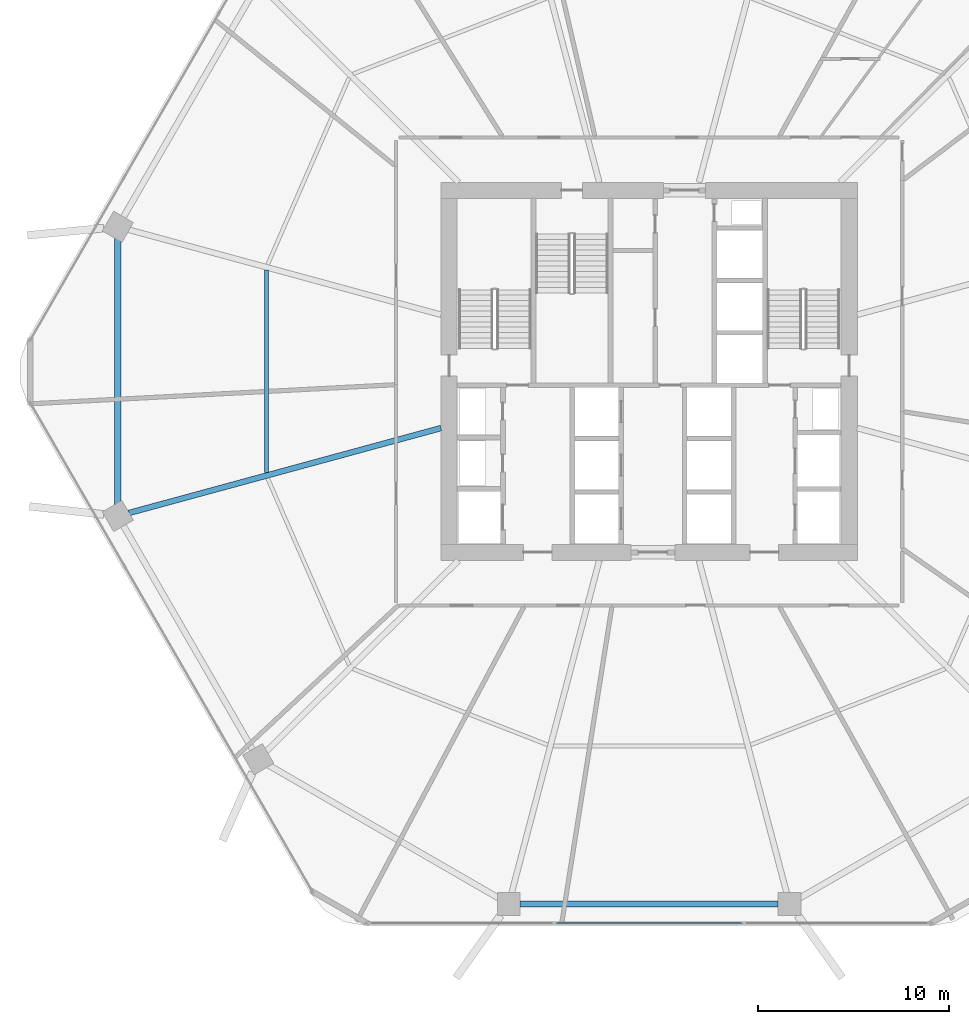
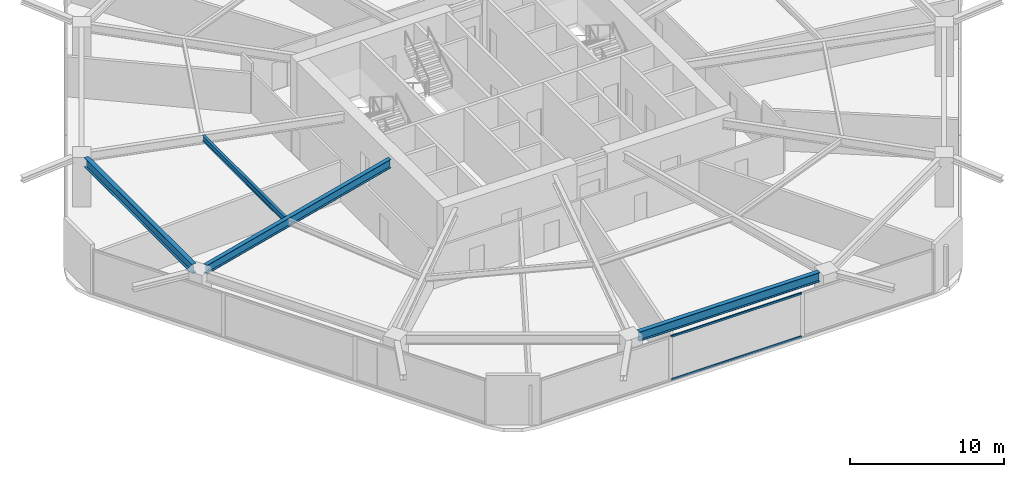
# One storey, part 6 of 25: 4 beams, 2 members, 1 element without a shape of its own.
"""IFC4 building model written with IfcOpenShell, lengths in metres."""

from ifc_helpers import new_model, si_unit, direction, frame, origin, origin_2d, place, context, subcontext, project, spatial, hollow_rectangle, i_section, extrude, material, material_profile, profile_set, type_object, element, aggregate, save


model = new_model("IFC4")

# Units and contexts
model_context = context("Model", 3, precision=1e-05, world=origin(), true_north=direction((0.0, 1.0)))
body_context = subcontext(model_context, "Body", "Model", "MODEL_VIEW")
ifc_project = project(units=[si_unit("LENGTHUNIT", "METRE"), si_unit("AREAUNIT", "SQUARE_METRE"), si_unit("VOLUMEUNIT", "CUBIC_METRE"), si_unit("PLANEANGLEUNIT", "RADIAN"), si_unit("MASSUNIT", "GRAM", prefix="KILO")], contexts=[model_context])

# Site, building, storey
site_placement = place(None, origin())
site = spatial("IfcSite", under=ifc_project, at=site_placement, CompositionType="ELEMENT")
building_placement = place(site_placement, origin())
building = spatial("IfcBuilding", under=site, at=building_placement, Name="Zuhravey Tower", CompositionType="ELEMENT")
storey_placement = place(building_placement, frame((0.0, 0.0, 37.199951171875)))
storey = spatial("IfcBuildingStorey", under=building, at=storey_placement, Name="L09", CompositionType="ELEMENT", Elevation=37.199951171875)

# Curtain wall, members
ifc_material_1 = material(Name="Thermally broken anodised aluminium", Category="aluminium")
curtain_wall_type = type_object("IfcCurtainWallType", Name="School Low-E Unitised Curtain Wall CW1", PredefinedType="NOTDEFINED", material=ifc_material_1)
curtain_wall_placement = place(storey_placement, origin())
curtain_wall = element("IfcCurtainWall", 1, at=curtain_wall_placement, inside=storey, type_object=curtain_wall_type, Name="L09 CW1 CW-L09-F5-1", PredefinedType="NOTDEFINED")
ifc_material_2 = material(Name="Anodised aluminium", Category="aluminium")
ifc_material_profile_1 = material_profile(ifc_material_2, hollow_rectangle(XDim=0.090087890625, YDim=0.14990234375, WallThickness=0.0048828125, at=origin_2d()), Name="ALU-RHS-90x150x5")
ifc_profile_set_1 = profile_set([ifc_material_profile_1], Name="Anodised aluminium")
member_type = type_object("IfcMemberType", Name="Curtain-Wall Transom 90x150", PredefinedType="USERDEFINED", material=ifc_profile_set_1)
member_1_placement = place(storey_placement, frame((40.88818359375, 3.04150390625, 0.045166015625), z_axis=(-1.0, 0.0, 0.0), x_axis=(0.0, -1.0, 0.0)))
member_1 = element("IfcMember", 2, at=member_1_placement, type_object=member_type, Name="CW1 transom 2.1", ObjectType="TRANSOM", PredefinedType="USERDEFINED", context=body_context, shape_type="SweptSolid", body=[
    extrude(hollow_rectangle(XDim=0.090087890625, YDim=0.14990234375, WallThickness=0.0048828125, at=origin_2d()), origin(), (0.0, 0.0, 1.0), 9.7763671875),
])
member_2_placement = place(storey_placement, frame((40.88818359375, 3.04150390625, 3.447021484375), z_axis=(-1.0, 0.0, 0.0), x_axis=(0.0, -1.0, 0.0)))
member_2 = element("IfcMember", 3, at=member_2_placement, type_object=member_type, Name="CW1 transom 2.2", ObjectType="TRANSOM", PredefinedType="USERDEFINED", context=body_context, shape_type="SweptSolid", body=[
    extrude(hollow_rectangle(XDim=0.090087890625, YDim=0.14990234375, WallThickness=0.0048828125, at=origin_2d()), origin(), (0.0, 0.0, 1.0), 9.7763671875),
])
aggregate(curtain_wall, [member_1, member_2])

# Beams
ifc_material_3 = material(Name="Steel SM355", Category="steel")
ifc_material_profile_2 = material_profile(ifc_material_3, i_section(OverallWidth=0.320068359375, OverallDepth=0.75, WebThickness=0.013916015625, FlangeThickness=0.02490234375, at=origin_2d()), Name="H-750x320x14x25")
ifc_profile_set_2 = profile_set([ifc_material_profile_2], Name="Steel SM355")
beam_type_1 = type_object("IfcBeamType", Name="Perimeter Ring Beam H750x320", PredefinedType="BEAM", material=ifc_profile_set_2)
beam_1_placement = place(storey_placement, frame((8.11083984375, 38.988525390625, 3.545166015625), z_axis=(0.0, -1.0, 0.0), x_axis=(1.0, 0.0, 0.0)))
element("IfcBeam", 4, at=beam_1_placement, inside=storey, type_object=beam_type_1, Name="L09 PB1 BM-L09-PB-06", PredefinedType="BEAM", context=body_context, shape_type="SweptSolid", body=[
    extrude(i_section(OverallWidth=0.320068359375, OverallDepth=0.75, WebThickness=0.013916015625, FlangeThickness=0.02490234375, at=origin_2d()), origin(), (0.0, 0.0, 1.0), 13.97705078125),
])
beam_2_placement = place(storey_placement, frame((29.23291015625, 4.051513671875, 3.545166015625), z_axis=(1.0, 0.0, 0.0), x_axis=(0.0, 1.0, 0.0)))
element("IfcBeam", 5, at=beam_2_placement, inside=storey, type_object=beam_type_1, Name="L09 PB1 BM-L09-PB-09", PredefinedType="BEAM", context=body_context, shape_type="SweptSolid", body=[
    extrude(i_section(OverallWidth=0.320068359375, OverallDepth=0.75, WebThickness=0.013916015625, FlangeThickness=0.02490234375, at=origin_2d()), origin(), (0.0, 0.0, 1.0), 13.5341796875),
])
ifc_material_profile_3 = material_profile(ifc_material_3, i_section(OverallWidth=0.300048828125, OverallDepth=0.699951171875, WebThickness=0.012939453125, FlangeThickness=0.02392578125, at=origin_2d()), Name="H-700x300x13x24")
ifc_profile_set_3 = profile_set([ifc_material_profile_3], Name="Steel SM355")
beam_type_2 = type_object("IfcBeamType", Name="Radial Primary Girder H700x300", PredefinedType="BEAM", material=ifc_profile_set_3)
beam_3_placement = place(storey_placement, frame((25.072021484375, 29.025390625, 3.570068359375), z_axis=(-0.964892480455, -0.26264520015, 0.0), x_axis=(0.26264520015, -0.964892480455, 0.0)))
element("IfcBeam", 6, at=beam_3_placement, inside=storey, type_object=beam_type_2, Name="L09 RG1 BM-L09-RAD-07", PredefinedType="BEAM", context=body_context, shape_type="SweptSolid", body=[
    extrude(i_section(OverallWidth=0.300048828125, OverallDepth=0.699951171875, WebThickness=0.012939453125, FlangeThickness=0.02392578125, at=origin_2d()), origin(), (0.0, 0.0, 1.0), 16.975341796875),
])
ifc_material_profile_4 = material_profile(ifc_material_3, i_section(OverallWidth=0.199951171875, OverallDepth=0.449951171875, WebThickness=0.009033203125, FlangeThickness=0.013916015625, at=origin_2d()), Name="H-450x200x9x14")
ifc_profile_set_4 = profile_set([ifc_material_profile_4], Name="Steel SM355")
beam_type_3 = type_object("IfcBeamType", Name="Secondary Floor Joist H450x200", PredefinedType="JOIST", material=ifc_profile_set_4)
beam_4_placement = place(storey_placement, frame((15.9130859375, 37.313720703125, 3.695068359375), z_axis=(0.0, -1.0, 0.0), x_axis=(1.0, 0.0, 0.0)))
element("IfcBeam", 7, at=beam_4_placement, inside=storey, type_object=beam_type_3, Name="L09 SJ1 BM-L09-SJ-06-1", PredefinedType="JOIST", context=body_context, shape_type="SweptSolid", body=[
    extrude(i_section(OverallWidth=0.199951171875, OverallDepth=0.449951171875, WebThickness=0.009033203125, FlangeThickness=0.013916015625, at=origin_2d()), origin(), (0.0, 0.0, 1.0), 10.62744140625),
])

save(model, "model.ifc")
